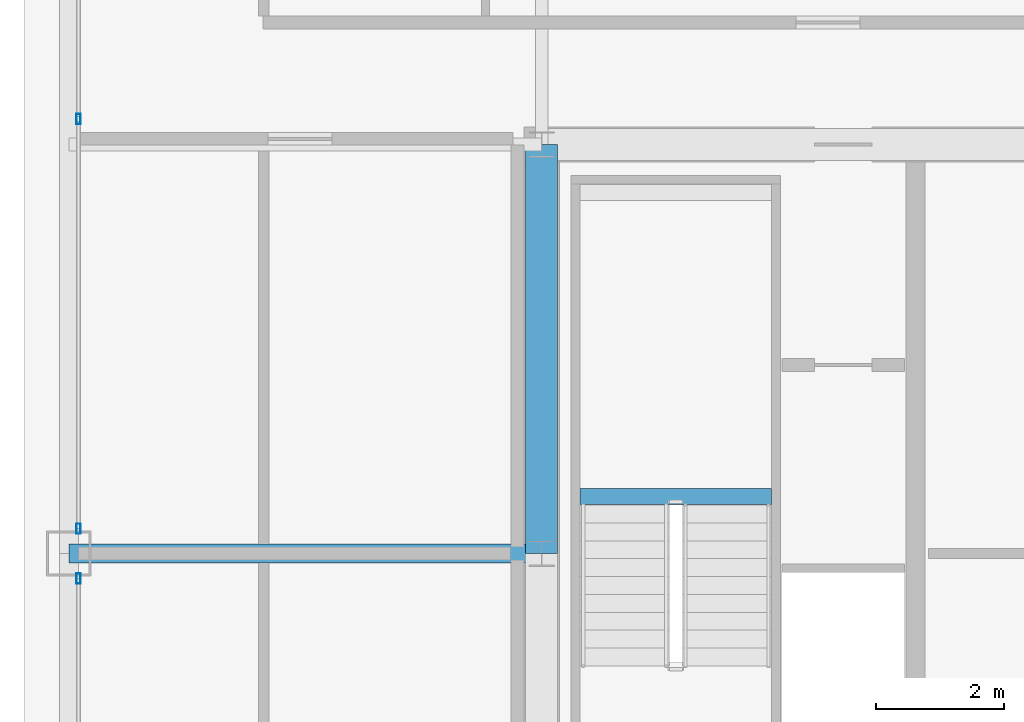
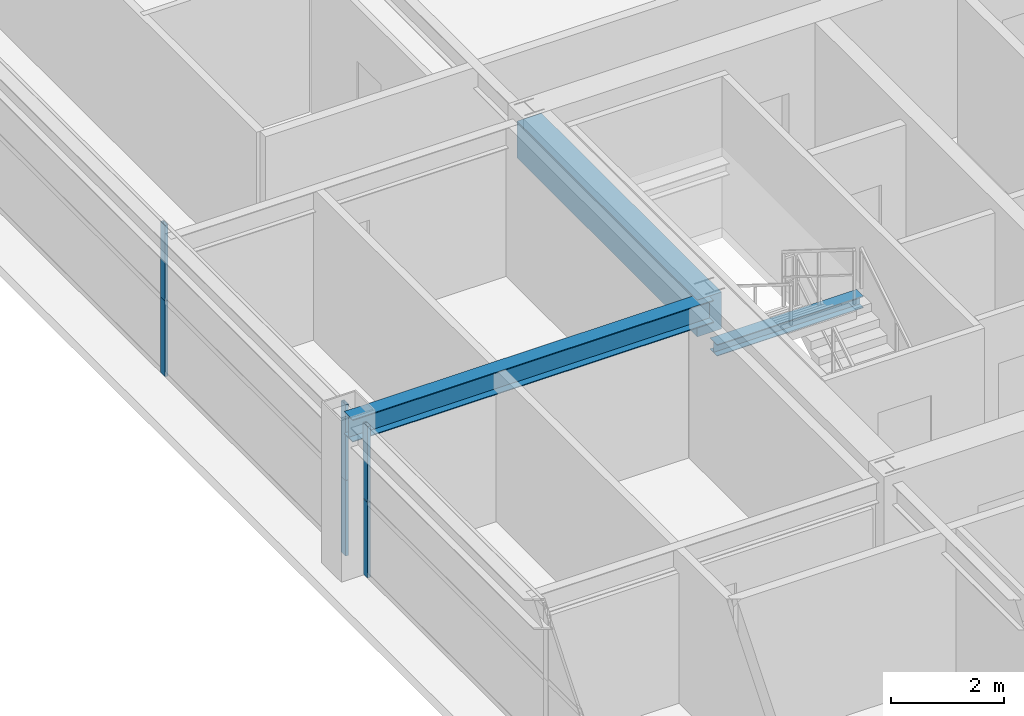
# One storey, part 12 of 35: 6 members, 3 beams, 2 elements without a shape of their own.
"""IFC4 building model written with IfcOpenShell, lengths in metres."""

from ifc_helpers import new_model, si_unit, direction, frame, origin, origin_2d, place, context, subcontext, project, spatial, rectangle, hollow_rectangle, i_section, extrude, source, transform, mapped, material, layer, layer_set, material_profile, profile_set, type_object, element, aggregate, save


model = new_model("IFC4")

# Units and contexts
model_context = context("Model", 3, precision=1e-05, world=origin(), true_north=direction((0.0, 1.0)))
body_context = subcontext(model_context, "Body", "Model", "MODEL_VIEW")
ifc_project = project(units=[si_unit("LENGTHUNIT", "METRE"), si_unit("AREAUNIT", "SQUARE_METRE"), si_unit("VOLUMEUNIT", "CUBIC_METRE"), si_unit("PLANEANGLEUNIT", "RADIAN"), si_unit("MASSUNIT", "GRAM", prefix="KILO"), si_unit("THERMODYNAMICTEMPERATUREUNIT", "KELVIN"), si_unit("POWERUNIT", "WATT")], contexts=[model_context])

# Site, building, storey
site_placement = place(None, origin())
site = spatial("IfcSite", under=ifc_project, at=site_placement, CompositionType="ELEMENT")
building_placement = place(site_placement, origin())
building = spatial("IfcBuilding", under=site, at=building_placement, Name="Yuzanri Waterfront Tower", CompositionType="ELEMENT")
storey_placement = place(building_placement, frame((0.0, 0.0, 227.60009765625)))
storey = spatial("IfcBuildingStorey", under=building, at=storey_placement, Name="L60", CompositionType="ELEMENT", Elevation=227.60009765625)

# Beams
ifc_material_1 = material(Name="Concrete C50", Category="concrete")
ifc_material_profile_1 = material_profile(ifc_material_1, rectangle(XDim=0.5, YDim=0.800048828125, at=origin_2d()), Name="RC 500x800")
ifc_profile_set_1 = profile_set([ifc_material_profile_1], Name="Concrete C50")
beam_type_1 = type_object("IfcBeamType", Name="Core Coupling Lintel Concrete C50 500x800", PredefinedType="LINTEL", material=ifc_profile_set_1)
shared_shape_1 = source(origin(), body_context, "Body", "SweptSolid", [
    extrude(rectangle(XDim=0.5, YDim=0.800048828125, at=origin_2d()), origin(), (0.0, 0.0, 1.0), 6.39990234375),
])
beam_1_placement = place(storey_placement, frame((23.800048828125, 25.800048828125, 2.8798828125), z_axis=(0.0, 1.0, 0.0), x_axis=(-1.0, 0.0, 0.0)))
element("IfcBeam", 1, at=beam_1_placement, inside=storey, type_object=beam_type_1, Name="L60 Core Tie Beam CW2", PredefinedType="LINTEL", context=body_context, shape_type="MappedRepresentation", body=[
    mapped(shared_shape_1, transform((0.0, 0.0, 0.0), scale=1.0)),
])
ifc_material_2 = material(Name="Steel Q355B", Category="steel")
ifc_material_profile_2 = material_profile(ifc_material_2, i_section(OverallWidth=0.300048828125, OverallDepth=0.488037109375, WebThickness=0.010986328125, FlangeThickness=0.01806640625, at=origin_2d()), Name="HM 488x300x11x18")
ifc_profile_set_2 = profile_set([ifc_material_profile_2], Name="Steel Q355B")
beam_type_2 = type_object("IfcBeamType", Name="Primary Floor Girder Q355B HM 488x300", PredefinedType="BEAM", material=ifc_profile_set_2)
shared_shape_2 = source(origin(), body_context, "Body", "SweptSolid", [
    extrude(i_section(OverallWidth=0.300048828125, OverallDepth=0.488037109375, WebThickness=0.010986328125, FlangeThickness=0.01806640625, at=origin_2d()), origin(), (0.0, 0.0, 1.0), 7.400146484375),
])
beam_2_placement = place(storey_placement, frame((23.800048828125, 25.800048828125, 3.035888671875), z_axis=(-1.0, 0.0, 0.0), x_axis=(0.0, -1.0, 0.0)))
element("IfcBeam", 2, at=beam_2_placement, inside=storey, type_object=beam_type_2, Name="L60 West Grid Girder", PredefinedType="BEAM", context=body_context, shape_type="MappedRepresentation", body=[
    mapped(shared_shape_2, transform((0.0, 0.0, 0.0), scale=1.0)),
])

# Curtain wall, members
ifc_material_3 = material(Name="Anodized Architectural Bronze", Category="metal")
ifc_layer = layer(ifc_material_3, 0.159912109375)
ifc_layer_set = layer_set([ifc_layer], Name="Anodized Architectural Bronze")
curtain_wall_type = type_object("IfcCurtainWallType", Name="Anodized Bronze Mid-Rise Residential Acoustic Unitized Curtain Wall 7200", PredefinedType="NOTDEFINED", material=ifc_layer_set)
curtain_wall_1_placement = place(storey_placement, origin())
curtain_wall_1 = element("IfcCurtainWall", 3, at=curtain_wall_1_placement, inside=storey, type_object=curtain_wall_type, Name="L60 Curtain Wall CW-L60-WL", PredefinedType="NOTDEFINED")
ifc_material_4 = material(Name="Anodized Architectural Bronze", Category="metal")
ifc_material_profile_3 = material_profile(ifc_material_4, hollow_rectangle(XDim=0.06494140625, YDim=0.159912109375, WallThickness=0.00341796875, at=origin_2d()), Name="CWM 65x160")
ifc_profile_set_3 = profile_set([ifc_material_profile_3], Name="Anodized Architectural Bronze")
member_type = type_object("IfcMemberType", Name="Anodized Bronze Upper-Zone Curtain-Wall Mullion 65x160", PredefinedType="MULLION", material=ifc_profile_set_3)
shared_shape_3 = source(origin(), body_context, "Body", "SweptSolid", [
    extrude(hollow_rectangle(XDim=0.06494140625, YDim=0.159912109375, WallThickness=0.00341796875, at=origin_2d()), origin(), (0.0, 0.0, 1.0), 1.637939453125),
])
member_1_placement = place(storey_placement, frame((16.550048828125, 25.409912109375, 0.0), z_axis=(0.0, 0.0, 1.0), x_axis=(1.0, 0.0, 0.0)))
member_1 = element("IfcMember", 4, at=member_1_placement, type_object=member_type, Name="CW-L60-WL Lower Mullion 02", PredefinedType="MULLION", context=body_context, shape_type="MappedRepresentation", body=[
    mapped(shared_shape_3, transform((0.0, 0.0, 0.0), scale=1.0)),
])
member_2_placement = place(storey_placement, frame((16.550048828125, 25.409912109375, 1.641845703125), z_axis=(0.0, 0.0, 1.0), x_axis=(1.0, 0.0, 0.0)))
member_2 = element("IfcMember", 5, at=member_2_placement, type_object=member_type, Name="CW-L60-WL Upper Mullion 02", PredefinedType="MULLION", context=body_context, shape_type="MappedRepresentation", body=[
    mapped(shared_shape_3, transform((0.0, 0.0, 0.0), scale=1.0)),
])
aggregate(curtain_wall_1, [member_1, member_2])

curtain_wall_2_placement = place(storey_placement, origin())
curtain_wall_2 = element("IfcCurtainWall", 6, at=curtain_wall_2_placement, inside=storey, type_object=curtain_wall_type, Name="L60 Curtain Wall CW-L60-WR", PredefinedType="NOTDEFINED")
member_3_placement = place(storey_placement, frame((16.550048828125, 26.18994140625, 0.0), z_axis=(0.0, 0.0, 1.0), x_axis=(1.0, 0.0, 0.0)))
member_3 = element("IfcMember", 7, at=member_3_placement, type_object=member_type, Name="CW-L60-WR Lower Mullion 00", PredefinedType="MULLION", context=body_context, shape_type="MappedRepresentation", body=[
    mapped(shared_shape_3, transform((0.0, 0.0, 0.0), scale=1.0)),
])
member_4_placement = place(storey_placement, frame((16.550048828125, 26.18994140625, 1.641845703125), z_axis=(0.0, 0.0, 1.0), x_axis=(1.0, 0.0, 0.0)))
member_4 = element("IfcMember", 8, at=member_4_placement, type_object=member_type, Name="CW-L60-WR Upper Mullion 00", PredefinedType="MULLION", context=body_context, shape_type="MappedRepresentation", body=[
    mapped(shared_shape_3, transform((0.0, 0.0, 0.0), scale=1.0)),
])
member_5_placement = place(storey_placement, frame((16.550048828125, 32.60009765625, 0.0), z_axis=(0.0, 0.0, 1.0), x_axis=(1.0, 0.0, 0.0)))
member_5 = element("IfcMember", 9, at=member_5_placement, type_object=member_type, Name="CW-L60-WR Lower Mullion 01", PredefinedType="MULLION", context=body_context, shape_type="MappedRepresentation", body=[
    mapped(shared_shape_3, transform((0.0, 0.0, 0.0), scale=1.0)),
])
member_6_placement = place(storey_placement, frame((16.550048828125, 32.60009765625, 1.641845703125), z_axis=(0.0, 0.0, 1.0), x_axis=(1.0, 0.0, 0.0)))
member_6 = element("IfcMember", 10, at=member_6_placement, type_object=member_type, Name="CW-L60-WR Upper Mullion 01", PredefinedType="MULLION", context=body_context, shape_type="MappedRepresentation", body=[
    mapped(shared_shape_3, transform((0.0, 0.0, 0.0), scale=1.0)),
])
aggregate(curtain_wall_2, [member_3, member_4, member_5, member_6])

# Beam
ifc_material_5 = material(Name="Steel Q355B", Category="steel")
ifc_material_profile_4 = material_profile(ifc_material_5, i_section(OverallWidth=0.25, OverallDepth=0.25, WebThickness=0.009033203125, FlangeThickness=0.013916015625, at=origin_2d()), Name="HW 250x250x9x14")
ifc_profile_set_4 = profile_set([ifc_material_profile_4], Name="Steel Q355B")
beam_type_3 = type_object("IfcBeamType", Name="Stair Landing Support Beam Q355B HW 250x250", PredefinedType="BEAM", material=ifc_profile_set_4)
shared_shape_4 = source(origin(), body_context, "Body", "SweptSolid", [
    extrude(i_section(OverallWidth=0.25, OverallDepth=0.25, WebThickness=0.009033203125, FlangeThickness=0.013916015625, at=origin_2d()), origin(), (0.0, 0.0, 1.0), 3.0),
])
beam_3_placement = place(storey_placement, frame((24.39990234375, 26.68994140625, 1.4248046875), z_axis=(1.0, 0.0, 0.0), x_axis=(0.0, 1.0, 0.0)))
element("IfcBeam", 11, at=beam_3_placement, inside=storey, type_object=beam_type_3, Name="L60 Stair Landing Support Beam ST-01-L60-L1-1", PredefinedType="BEAM", context=body_context, shape_type="MappedRepresentation", body=[
    mapped(shared_shape_4, transform((0.0, 0.0, 0.0), scale=1.0)),
])

save(model, "model.ifc")
